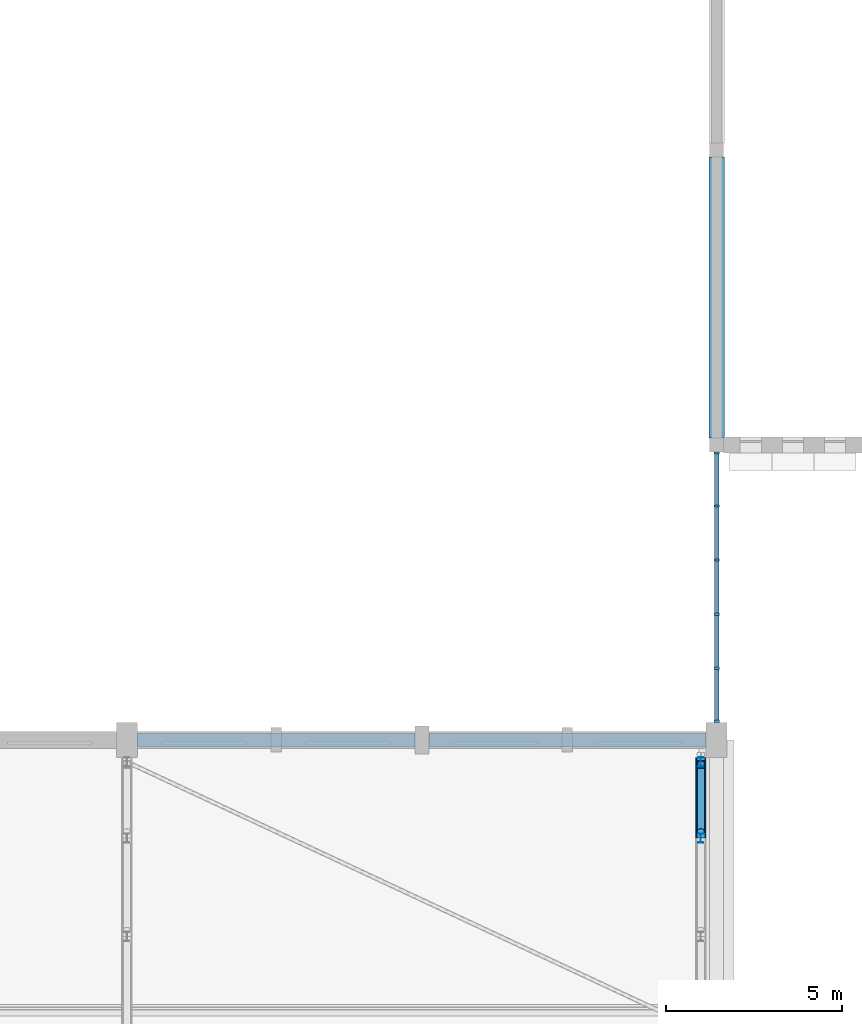
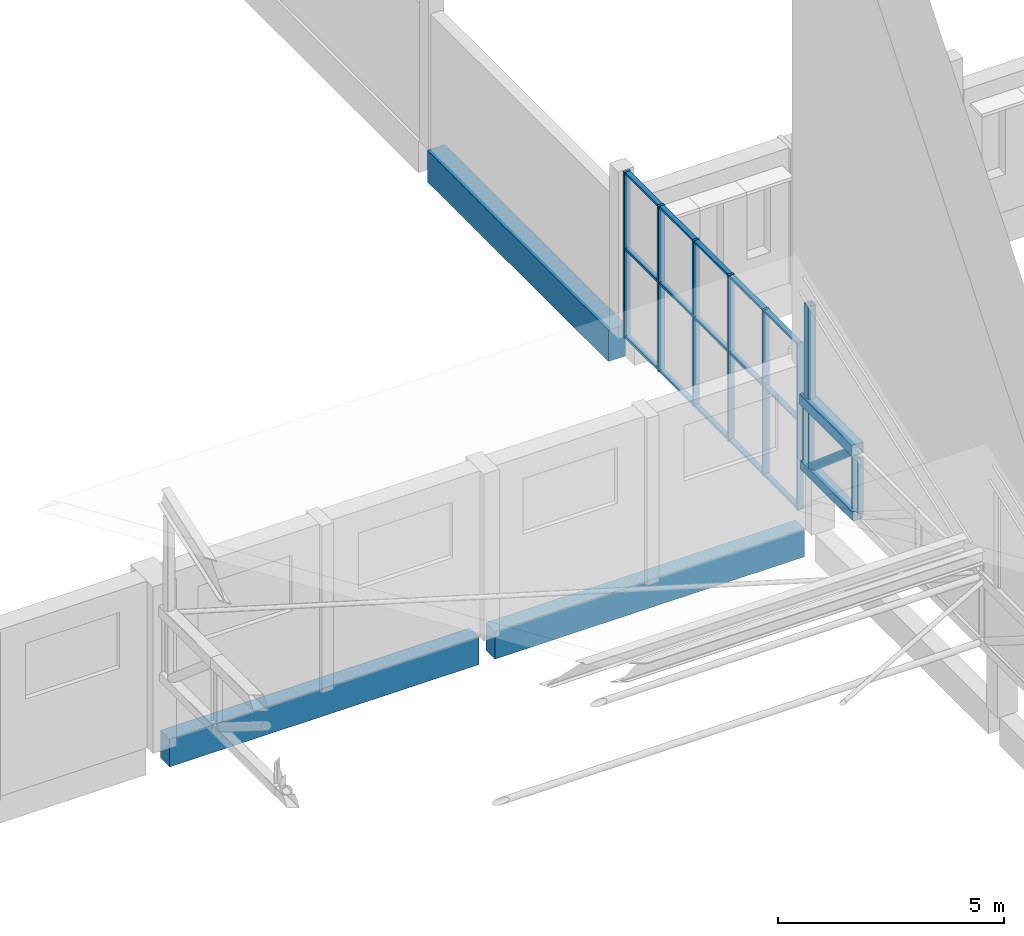
# One storey, part 37 of 101: 27 members, 3 beams, 1 element without a shape of its own.
"""IFC4 building model written with IfcOpenShell, lengths in metres."""

from ifc_helpers import new_model, si_unit, direction, frame, origin, origin_2d, place, context, subcontext, project, spatial, rectangle, hollow_rectangle, hollow_circle, i_section, extrude, material, material_profile, profile_set, type_object, element, aggregate, save


model = new_model("IFC4")

# Units and contexts
model_context = context("Model", 3, precision=1e-05, world=origin(), true_north=direction((0.0, 1.0)))
body_context = subcontext(model_context, "Body", "Model", "MODEL_VIEW")
ifc_project = project(units=[si_unit("LENGTHUNIT", "METRE"), si_unit("AREAUNIT", "SQUARE_METRE"), si_unit("VOLUMEUNIT", "CUBIC_METRE"), si_unit("PLANEANGLEUNIT", "RADIAN"), si_unit("MASSUNIT", "GRAM", prefix="KILO")], contexts=[model_context])

# Site, building, storey
site_placement = place(None, origin())
site = spatial("IfcSite", under=ifc_project, at=site_placement, CompositionType="ELEMENT")
building_placement = place(site_placement, origin())
building = spatial("IfcBuilding", under=site, at=building_placement, Name="Fescue Hill Polytechnic", CompositionType="ELEMENT")
storey_placement = place(building_placement, frame((0.0, 0.0, 9.0)))
storey = spatial("IfcBuildingStorey", under=building, at=storey_placement, Name="L02", CompositionType="ELEMENT", Elevation=9.0)

# Beams
ifc_material_1 = material(Name="Concrete 35 MPa", Category="concrete")
ifc_material_profile_1 = material_profile(ifc_material_1, rectangle(XDim=0.39990234375, YDim=0.75, at=origin_2d()), Name="RC 400x750")
ifc_profile_set_1 = profile_set([ifc_material_profile_1], Name="Concrete 35 MPa")
beam_type_1 = type_object("IfcBeamType", Name="Beam RC 400x750", PredefinedType="BEAM", material=ifc_profile_set_1)
beam_1_placement = place(storey_placement, frame((109.0, 50.39990234375, -0.375), z_axis=(-1.0, 0.0, 0.0), x_axis=(0.0, -1.0, 0.0)))
element("IfcBeam", 1, at=beam_1_placement, inside=storey, type_object=beam_type_1, Name="BM-L02-0169", PredefinedType="BEAM", context=body_context, shape_type="SweptSolid", body=[
    extrude(rectangle(XDim=0.39990234375, YDim=0.75, at=origin_2d()), origin(), (0.0, 0.0, 1.0), 7.89990234375),
])
beam_2_placement = place(storey_placement, frame((117.300048828125, 50.39990234375, -0.375), z_axis=(-1.0, 0.0, 0.0), x_axis=(0.0, -1.0, 0.0)))
element("IfcBeam", 2, at=beam_2_placement, inside=storey, type_object=beam_type_1, Name="BM-L02-0170", PredefinedType="BEAM", context=body_context, shape_type="SweptSolid", body=[
    extrude(rectangle(XDim=0.39990234375, YDim=0.75, at=origin_2d()), origin(), (0.0, 0.0, 1.0), 7.900146484375),
])
ifc_material_profile_2 = material_profile(ifc_material_1, rectangle(XDim=0.449951171875, YDim=0.85009765625, at=origin_2d()), Name="RC 450x850")
ifc_profile_set_2 = profile_set([ifc_material_profile_2], Name="Concrete 35 MPa")
beam_type_2 = type_object("IfcBeamType", Name="Beam RC 450x850", PredefinedType="BEAM", material=ifc_profile_set_2)
beam_3_placement = place(storey_placement, frame((117.60009765625, 67.0, -0.425048828125), z_axis=(0.0, -1.0, 0.0), x_axis=(1.0, 0.0, 0.0)))
element("IfcBeam", 3, at=beam_3_placement, inside=storey, type_object=beam_type_2, Name="BM-L02-0178", PredefinedType="BEAM", context=body_context, shape_type="SweptSolid", body=[
    extrude(rectangle(XDim=0.449951171875, YDim=0.85009765625, at=origin_2d()), origin(), (0.0, 0.0, 1.0), 8.0),
])

# Members
ifc_material_2 = material(Name="Steel 350W (350 MPa)", Category="steel")
ifc_material_profile_3 = material_profile(ifc_material_2, hollow_rectangle(XDim=0.25390625, YDim=0.25390625, WallThickness=0.0126953125, InnerFilletRadius=0.0126953125, OuterFilletRadius=0.025390625, at=origin_2d()), Name="Hall truss bottom chord HSS 254x254x13")
ifc_profile_set_3 = profile_set([ifc_material_profile_3], Name="Steel 350W (350 MPa)")
member_type_1 = type_object("IfcMemberType", Name="Hall truss bottom chord HSS 254x254x13", PredefinedType="CHORD", material=ifc_profile_set_3)
member_1_placement = place(storey_placement, frame((117.14990234375, 47.60009765625, 2.0), z_axis=(0.0, 1.0, 0.0), x_axis=(-1.0, 0.0, 0.0)))
element("IfcMember", 4, at=member_1_placement, inside=storey, type_object=member_type_1, Name="Truss TR8 bottom chord 12", PredefinedType="CHORD", context=body_context, shape_type="SweptSolid", body=[
    extrude(hollow_rectangle(XDim=0.25390625, YDim=0.25390625, WallThickness=0.0126953125, InnerFilletRadius=0.0126953125, OuterFilletRadius=0.025390625, at=origin_2d()), origin(), (0.0, 0.0, 1.0), 2.2998046875),
])
ifc_material_profile_4 = material_profile(ifc_material_2, hollow_circle(Radius=0.109619140625, WallThickness=0.009521484375, at=origin_2d()), Name="Hall truss diagonal CHS 219x9.5")
ifc_profile_set_4 = profile_set([ifc_material_profile_4], Name="Steel 350W (350 MPa)")
member_type_2 = type_object("IfcMemberType", Name="Hall truss diagonal CHS 219x9.5", PredefinedType="BRACE", material=ifc_profile_set_4)
member_2_placement = place(storey_placement, frame((117.14990234375, 47.800048828125, 3.631103515625), z_axis=(0.0, 0.761443253909, -0.648231572107), x_axis=(-1.0, 0.0, 0.0)))
element("IfcMember", 5, at=member_2_placement, inside=storey, type_object=member_type_2, Name="Truss TR8 diagonal 12", PredefinedType="BRACE", context=body_context, shape_type="SweptSolid", body=[
    extrude(hollow_circle(Radius=0.109619140625, WallThickness=0.009521484375, at=origin_2d()), origin(), (0.0, 0.0, 1.0), 2.3203125),
])
ifc_material_profile_5 = material_profile(ifc_material_2, i_section(OverallWidth=0.14794921875, OverallDepth=0.26611328125, WebThickness=0.007568359375, FlangeThickness=0.012939453125, FilletRadius=0.013916015625, at=origin_2d()), Name="W250x45")
ifc_profile_set_5 = profile_set([ifc_material_profile_5], Name="Steel 350W (350 MPa)")
member_type_3 = type_object("IfcMemberType", Name="Hall truss post W250x45", PredefinedType="POST", material=ifc_profile_set_5)
for number, where, z_axis, x_axis, name in (
    (6, (117.14990234375, 47.60009765625, 2.126953125), (0.0, 0.0, 1.0), (1.0, 0.0, 0.0), "Truss TR8 post 12"),
    (7, (117.14990234375, 49.76708984375, 2.126953125), (0.0, 0.0, 1.0), (1.0, 0.0, 0.0), "Truss TR8 post 13"),
):
    element("IfcMember", number, at=place(storey_placement, frame(where, z_axis=z_axis, x_axis=x_axis)), inside=storey, type_object=member_type_3, Name=name, PredefinedType="POST", context=body_context, shape_type="SweptSolid", body=[
        extrude(i_section(OverallWidth=0.14794921875, OverallDepth=0.26611328125, WebThickness=0.007568359375, FlangeThickness=0.012939453125, FilletRadius=0.013916015625, at=origin_2d()), origin(), (0.0, 0.0, 1.0), 1.504150390625),
    ])
ifc_material_profile_6 = material_profile(ifc_material_2, hollow_rectangle(XDim=0.3046875, YDim=0.3046875, WallThickness=0.0126953125, InnerFilletRadius=0.0126953125, OuterFilletRadius=0.025390625, at=origin_2d()), Name="Hall truss top chord HSS 305x305x13")
ifc_profile_set_6 = profile_set([ifc_material_profile_6], Name="Steel 350W (350 MPa)")
member_type_4 = type_object("IfcMemberType", Name="Hall truss top chord HSS 305x305x13", PredefinedType="CHORD", material=ifc_profile_set_6)
member_3_placement = place(storey_placement, frame((117.14990234375, 47.60009765625, 3.783447265625), z_axis=(0.0, 1.0, 0.0), x_axis=(-1.0, 0.0, 0.0)))
element("IfcMember", 8, at=member_3_placement, inside=storey, type_object=member_type_4, Name="Truss TR8 top chord 12", PredefinedType="CHORD", context=body_context, shape_type="SweptSolid", body=[
    extrude(hollow_rectangle(XDim=0.3046875, YDim=0.3046875, WallThickness=0.0126953125, InnerFilletRadius=0.0126953125, OuterFilletRadius=0.025390625, at=origin_2d()), origin(), (0.0, 0.0, 1.0), 2.2998046875),
])

# Curtain wall, members
ifc_material_3 = material(Name="Glass", Category="glass")
curtain_wall_type = type_object("IfcCurtainWallType", Name="Curtain wall structural glazing", PredefinedType="NOTDEFINED", material=ifc_material_3)
curtain_wall_placement = place(storey_placement, origin())
curtain_wall = element("IfcCurtainWall", 9, at=curtain_wall_placement, inside=storey, type_object=curtain_wall_type, Name="CW-L02-V6-2", PredefinedType="NOTDEFINED")
ifc_material_4 = material(Name="Powder-coated aluminium", Category="aluminium")
ifc_material_profile_7 = material_profile(ifc_material_4, rectangle(XDim=0.159912109375, YDim=0.06005859375, at=origin_2d()), Name="Mullion aluminium 60x160")
ifc_profile_set_7 = profile_set([ifc_material_profile_7], Name="Powder-coated aluminium")
member_type_5 = type_object("IfcMemberType", Name="Mullion aluminium 60x160", PredefinedType="MULLION", material=ifc_profile_set_7)
member_4_placement = place(storey_placement, frame((117.60009765625, 50.929931640625, 0.0), z_axis=(0.0, 0.0, 1.0), x_axis=(-1.0, 0.0, 0.0)))
member_4 = element("IfcMember", 10, at=member_4_placement, type_object=member_type_5, Name="CW71 mullion 1", PredefinedType="MULLION", context=body_context, shape_type="SweptSolid", body=[
    extrude(rectangle(XDim=0.159912109375, YDim=0.06005859375, at=origin_2d()), origin(), (0.0, 0.0, 1.0), 4.47998046875),
])
member_5_placement = place(storey_placement, frame((117.60009765625, 52.43994140625, 0.0), z_axis=(0.0, 0.0, 1.0), x_axis=(-1.0, 0.0, 0.0)))
member_5 = element("IfcMember", 11, at=member_5_placement, type_object=member_type_5, Name="CW71 mullion 2", PredefinedType="MULLION", context=body_context, shape_type="SweptSolid", body=[
    extrude(rectangle(XDim=0.159912109375, YDim=0.06005859375, at=origin_2d()), origin(), (0.0, 0.0, 1.0), 4.47998046875),
])
member_6_placement = place(storey_placement, frame((117.60009765625, 53.97998046875, 0.0), z_axis=(0.0, 0.0, 1.0), x_axis=(-1.0, 0.0, 0.0)))
member_6 = element("IfcMember", 12, at=member_6_placement, type_object=member_type_5, Name="CW71 mullion 3", PredefinedType="MULLION", context=body_context, shape_type="SweptSolid", body=[
    extrude(rectangle(XDim=0.159912109375, YDim=0.06005859375, at=origin_2d()), origin(), (0.0, 0.0, 1.0), 4.47998046875),
])
member_7_placement = place(storey_placement, frame((117.60009765625, 55.52001953125, 0.0), z_axis=(0.0, 0.0, 1.0), x_axis=(-1.0, 0.0, 0.0)))
member_7 = element("IfcMember", 13, at=member_7_placement, type_object=member_type_5, Name="CW71 mullion 4", PredefinedType="MULLION", context=body_context, shape_type="SweptSolid", body=[
    extrude(rectangle(XDim=0.159912109375, YDim=0.06005859375, at=origin_2d()), origin(), (0.0, 0.0, 1.0), 4.47998046875),
])
member_8_placement = place(storey_placement, frame((117.60009765625, 57.06005859375, 0.0), z_axis=(0.0, 0.0, 1.0), x_axis=(-1.0, 0.0, 0.0)))
member_8 = element("IfcMember", 14, at=member_8_placement, type_object=member_type_5, Name="CW71 mullion 5", PredefinedType="MULLION", context=body_context, shape_type="SweptSolid", body=[
    extrude(rectangle(XDim=0.159912109375, YDim=0.06005859375, at=origin_2d()), origin(), (0.0, 0.0, 1.0), 4.47998046875),
])
member_9_placement = place(storey_placement, frame((117.60009765625, 58.570068359375, 0.0), z_axis=(0.0, 0.0, 1.0), x_axis=(-1.0, 0.0, 0.0)))
member_9 = element("IfcMember", 15, at=member_9_placement, type_object=member_type_5, Name="CW71 mullion 6", PredefinedType="MULLION", context=body_context, shape_type="SweptSolid", body=[
    extrude(rectangle(XDim=0.159912109375, YDim=0.06005859375, at=origin_2d()), origin(), (0.0, 0.0, 1.0), 4.47998046875),
])

# Member
ifc_material_profile_8 = material_profile(ifc_material_2, hollow_rectangle(XDim=0.203125, YDim=0.203125, WallThickness=0.009521484375, InnerFilletRadius=0.009521484375, OuterFilletRadius=0.01904296875, at=origin_2d()), Name="Tooth ridge post HSS 203x203x9.5")
ifc_profile_set_8 = profile_set([ifc_material_profile_8], Name="Steel 350W (350 MPa)")
member_type_6 = type_object("IfcMemberType", Name="Tooth ridge post HSS 203x203x9.5", PredefinedType="POST", material=ifc_profile_set_8)
member_10_placement = place(storey_placement, frame((117.14990234375, 49.699951171875, 3.93603515625), z_axis=(0.0, 0.0, 1.0), x_axis=(1.0, 0.0, 0.0)))
element("IfcMember", 16, at=member_10_placement, inside=storey, type_object=member_type_6, Name="Tooth 4 ridge post on TR8", PredefinedType="POST", context=body_context, shape_type="SweptSolid", body=[
    extrude(hollow_rectangle(XDim=0.203125, YDim=0.203125, WallThickness=0.009521484375, InnerFilletRadius=0.009521484375, OuterFilletRadius=0.01904296875, at=origin_2d()), origin(), (0.0, 0.0, 1.0), 2.499267578125),
])

ifc_material_profile_9 = material_profile(ifc_material_4, rectangle(XDim=0.1201171875, YDim=0.06005859375, at=origin_2d()), Name="Transom aluminium 60x120")
ifc_profile_set_9 = profile_set([ifc_material_profile_9], Name="Powder-coated aluminium")
member_type_7 = type_object("IfcMemberType", Name="Transom aluminium 60x120", PredefinedType="USERDEFINED", material=ifc_profile_set_9)
member_11_placement = place(storey_placement, frame((117.60009765625, 50.9599609375, 0.030029296875), z_axis=(0.0, 1.0, 0.0), x_axis=(-1.0, 0.0, 0.0)))
member_11 = element("IfcMember", 17, at=member_11_placement, type_object=member_type_7, Name="CW71 transom 1.1", ObjectType="TRANSOM", PredefinedType="USERDEFINED", context=body_context, shape_type="SweptSolid", body=[
    extrude(rectangle(XDim=0.1201171875, YDim=0.06005859375, at=origin_2d()), origin(), (0.0, 0.0, 1.0), 1.449951171875),
])

member_12_placement = place(storey_placement, frame((117.60009765625, 50.9599609375, 2.39990234375), z_axis=(0.0, 1.0, 0.0), x_axis=(-1.0, 0.0, 0.0)))
member_12 = element("IfcMember", 18, at=member_12_placement, type_object=member_type_7, Name="CW71 transom 1.2", ObjectType="TRANSOM", PredefinedType="USERDEFINED", context=body_context, shape_type="SweptSolid", body=[
    extrude(rectangle(XDim=0.1201171875, YDim=0.06005859375, at=origin_2d()), origin(), (0.0, 0.0, 1.0), 1.449951171875),
])

member_13_placement = place(storey_placement, frame((117.60009765625, 50.9599609375, 4.449951171875), z_axis=(0.0, 1.0, 0.0), x_axis=(-1.0, 0.0, 0.0)))
member_13 = element("IfcMember", 19, at=member_13_placement, type_object=member_type_7, Name="CW71 transom 1.3", ObjectType="TRANSOM", PredefinedType="USERDEFINED", context=body_context, shape_type="SweptSolid", body=[
    extrude(rectangle(XDim=0.1201171875, YDim=0.06005859375, at=origin_2d()), origin(), (0.0, 0.0, 1.0), 1.449951171875),
])

member_14_placement = place(storey_placement, frame((117.60009765625, 52.469970703125, 0.030029296875), z_axis=(0.0, 1.0, 0.0), x_axis=(-1.0, 0.0, 0.0)))
member_14 = element("IfcMember", 20, at=member_14_placement, type_object=member_type_7, Name="CW71 transom 2.1", ObjectType="TRANSOM", PredefinedType="USERDEFINED", context=body_context, shape_type="SweptSolid", body=[
    extrude(rectangle(XDim=0.1201171875, YDim=0.06005859375, at=origin_2d()), origin(), (0.0, 0.0, 1.0), 1.47998046875),
])

member_15_placement = place(storey_placement, frame((117.60009765625, 52.469970703125, 2.39990234375), z_axis=(0.0, 1.0, 0.0), x_axis=(-1.0, 0.0, 0.0)))
member_15 = element("IfcMember", 21, at=member_15_placement, type_object=member_type_7, Name="CW71 transom 2.2", ObjectType="TRANSOM", PredefinedType="USERDEFINED", context=body_context, shape_type="SweptSolid", body=[
    extrude(rectangle(XDim=0.1201171875, YDim=0.06005859375, at=origin_2d()), origin(), (0.0, 0.0, 1.0), 1.47998046875),
])

member_16_placement = place(storey_placement, frame((117.60009765625, 52.469970703125, 4.449951171875), z_axis=(0.0, 1.0, 0.0), x_axis=(-1.0, 0.0, 0.0)))
member_16 = element("IfcMember", 22, at=member_16_placement, type_object=member_type_7, Name="CW71 transom 2.3", ObjectType="TRANSOM", PredefinedType="USERDEFINED", context=body_context, shape_type="SweptSolid", body=[
    extrude(rectangle(XDim=0.1201171875, YDim=0.06005859375, at=origin_2d()), origin(), (0.0, 0.0, 1.0), 1.47998046875),
])

member_17_placement = place(storey_placement, frame((117.60009765625, 54.010009765625, 0.030029296875), z_axis=(0.0, 1.0, 0.0), x_axis=(-1.0, 0.0, 0.0)))
member_17 = element("IfcMember", 23, at=member_17_placement, type_object=member_type_7, Name="CW71 transom 3.1", ObjectType="TRANSOM", PredefinedType="USERDEFINED", context=body_context, shape_type="SweptSolid", body=[
    extrude(rectangle(XDim=0.1201171875, YDim=0.06005859375, at=origin_2d()), origin(), (0.0, 0.0, 1.0), 1.47998046875),
])

member_18_placement = place(storey_placement, frame((117.60009765625, 54.010009765625, 2.39990234375), z_axis=(0.0, 1.0, 0.0), x_axis=(-1.0, 0.0, 0.0)))
member_18 = element("IfcMember", 24, at=member_18_placement, type_object=member_type_7, Name="CW71 transom 3.2", ObjectType="TRANSOM", PredefinedType="USERDEFINED", context=body_context, shape_type="SweptSolid", body=[
    extrude(rectangle(XDim=0.1201171875, YDim=0.06005859375, at=origin_2d()), origin(), (0.0, 0.0, 1.0), 1.47998046875),
])

member_19_placement = place(storey_placement, frame((117.60009765625, 54.010009765625, 4.449951171875), z_axis=(0.0, 1.0, 0.0), x_axis=(-1.0, 0.0, 0.0)))
member_19 = element("IfcMember", 25, at=member_19_placement, type_object=member_type_7, Name="CW71 transom 3.3", ObjectType="TRANSOM", PredefinedType="USERDEFINED", context=body_context, shape_type="SweptSolid", body=[
    extrude(rectangle(XDim=0.1201171875, YDim=0.06005859375, at=origin_2d()), origin(), (0.0, 0.0, 1.0), 1.47998046875),
])

member_20_placement = place(storey_placement, frame((117.60009765625, 55.550048828125, 0.030029296875), z_axis=(0.0, 1.0, 0.0), x_axis=(-1.0, 0.0, 0.0)))
member_20 = element("IfcMember", 26, at=member_20_placement, type_object=member_type_7, Name="CW71 transom 4.1", ObjectType="TRANSOM", PredefinedType="USERDEFINED", context=body_context, shape_type="SweptSolid", body=[
    extrude(rectangle(XDim=0.1201171875, YDim=0.06005859375, at=origin_2d()), origin(), (0.0, 0.0, 1.0), 1.47998046875),
])

member_21_placement = place(storey_placement, frame((117.60009765625, 55.550048828125, 2.39990234375), z_axis=(0.0, 1.0, 0.0), x_axis=(-1.0, 0.0, 0.0)))
member_21 = element("IfcMember", 27, at=member_21_placement, type_object=member_type_7, Name="CW71 transom 4.2", ObjectType="TRANSOM", PredefinedType="USERDEFINED", context=body_context, shape_type="SweptSolid", body=[
    extrude(rectangle(XDim=0.1201171875, YDim=0.06005859375, at=origin_2d()), origin(), (0.0, 0.0, 1.0), 1.47998046875),
])

member_22_placement = place(storey_placement, frame((117.60009765625, 55.550048828125, 4.449951171875), z_axis=(0.0, 1.0, 0.0), x_axis=(-1.0, 0.0, 0.0)))
member_22 = element("IfcMember", 28, at=member_22_placement, type_object=member_type_7, Name="CW71 transom 4.3", ObjectType="TRANSOM", PredefinedType="USERDEFINED", context=body_context, shape_type="SweptSolid", body=[
    extrude(rectangle(XDim=0.1201171875, YDim=0.06005859375, at=origin_2d()), origin(), (0.0, 0.0, 1.0), 1.47998046875),
])

member_23_placement = place(storey_placement, frame((117.60009765625, 57.090087890625, 0.030029296875), z_axis=(0.0, 1.0, 0.0), x_axis=(-1.0, 0.0, 0.0)))
member_23 = element("IfcMember", 29, at=member_23_placement, type_object=member_type_7, Name="CW71 transom 5.1", ObjectType="TRANSOM", PredefinedType="USERDEFINED", context=body_context, shape_type="SweptSolid", body=[
    extrude(rectangle(XDim=0.1201171875, YDim=0.06005859375, at=origin_2d()), origin(), (0.0, 0.0, 1.0), 1.449951171875),
])

member_24_placement = place(storey_placement, frame((117.60009765625, 57.090087890625, 2.39990234375), z_axis=(0.0, 1.0, 0.0), x_axis=(-1.0, 0.0, 0.0)))
member_24 = element("IfcMember", 30, at=member_24_placement, type_object=member_type_7, Name="CW71 transom 5.2", ObjectType="TRANSOM", PredefinedType="USERDEFINED", context=body_context, shape_type="SweptSolid", body=[
    extrude(rectangle(XDim=0.1201171875, YDim=0.06005859375, at=origin_2d()), origin(), (0.0, 0.0, 1.0), 1.449951171875),
])

member_25_placement = place(storey_placement, frame((117.60009765625, 57.090087890625, 4.449951171875), z_axis=(0.0, 1.0, 0.0), x_axis=(-1.0, 0.0, 0.0)))
member_25 = element("IfcMember", 31, at=member_25_placement, type_object=member_type_7, Name="CW71 transom 5.3", ObjectType="TRANSOM", PredefinedType="USERDEFINED", context=body_context, shape_type="SweptSolid", body=[
    extrude(rectangle(XDim=0.1201171875, YDim=0.06005859375, at=origin_2d()), origin(), (0.0, 0.0, 1.0), 1.449951171875),
])

aggregate(curtain_wall, [member_4, member_5, member_6, member_7, member_8, member_9, member_11, member_12, member_13, member_14, member_15, member_16, member_17, member_18, member_19, member_20, member_21, member_22, member_23, member_24, member_25])

save(model, "model.ifc")
